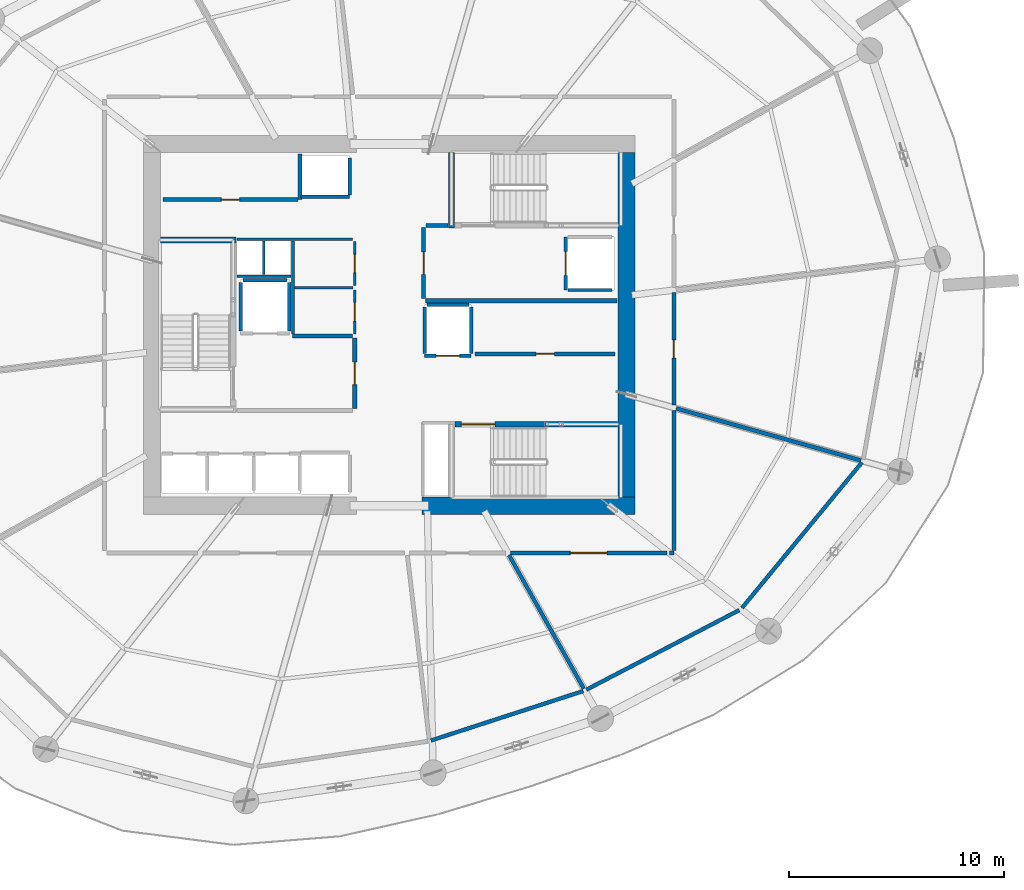
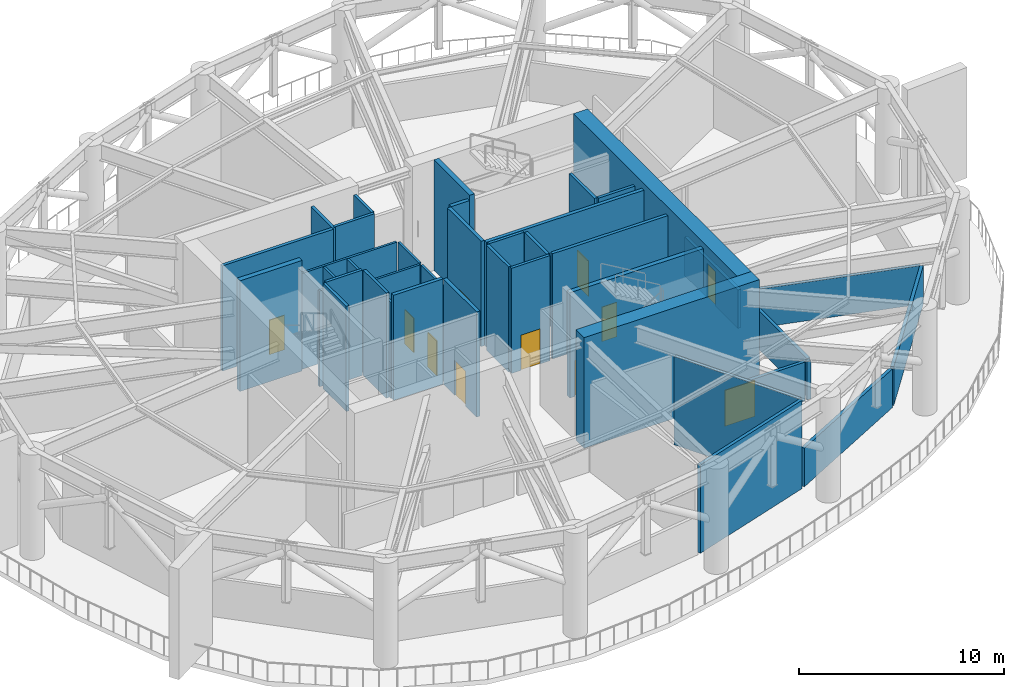
# One storey, part 12 of 19: 40 walls, 11 doors, 11 openings.
"""IFC4 building model written with IfcOpenShell, lengths in metres."""

from ifc_helpers import new_model, si_unit, direction, frame, frame_2d, origin, place, context, subcontext, project, spatial, rectangle, extrude, material, layer, layer_set, type_object, element, fill, save


model = new_model("IFC4")

# Units and contexts
model_context = context("Model", 3, precision=1e-05, world=origin(), true_north=direction((0.0, 1.0)))
body_context = subcontext(model_context, "Body", "Model", "MODEL_VIEW")
ifc_project = project(units=[si_unit("LENGTHUNIT", "METRE"), si_unit("AREAUNIT", "SQUARE_METRE"), si_unit("VOLUMEUNIT", "CUBIC_METRE"), si_unit("PLANEANGLEUNIT", "RADIAN"), si_unit("MASSUNIT", "GRAM", prefix="KILO")], contexts=[model_context])

# Site, building, storey
site_placement = place(None, origin())
site = spatial("IfcSite", under=ifc_project, at=site_placement, CompositionType="ELEMENT")
building_placement = place(site_placement, origin())
building = spatial("IfcBuilding", under=site, at=building_placement, Name="Kazma Halo Residences", CompositionType="ELEMENT")
storey_placement = place(building_placement, frame((0.0, 0.0, 116.39990234375)))
storey = spatial("IfcBuildingStorey", under=building, at=storey_placement, Name="L29", CompositionType="ELEMENT", Elevation=116.39990234375)

# Walls
ifc_material_1 = material(Name="Concrete C80/95", Category="concrete")
ifc_layer_1 = layer(ifc_material_1, 0.800048828125)
ifc_layer_set_1 = layer_set([ifc_layer_1], Name="Concrete C80/95")
wall_type_1 = type_object("IfcWallType", Name="WL-CORE-800", PredefinedType="SHEAR", material=ifc_layer_set_1)
wall_1_placement = place(storey_placement, frame((49.949951171875, 33.60009765625, 0.0), z_axis=(0.0, 0.0, 1.0), x_axis=(1.0, 0.0, 0.0)))
element("IfcWall", 1, at=wall_1_placement, inside=storey, type_object=wall_type_1, Name="L29 central core shear wall SE", PredefinedType="SHEAR", context=body_context, shape_type="SweptSolid", body=[
    extrude(rectangle(XDim=9.900146484375, YDim=0.800048828125, at=frame_2d((4.9501953125, 0.0))), origin(), (0.0, 0.0, 1.0), 6.60009765625),
])
wall_2_placement = place(storey_placement, frame((59.449951171875, 34.0, 0.0), z_axis=(0.0, 0.0, 1.0), x_axis=(0.0, 1.0, 0.0)))
element("IfcWall", 2, at=wall_2_placement, inside=storey, type_object=wall_type_1, Name="L29 central core shear wall E", PredefinedType="SHEAR", context=body_context, shape_type="SweptSolid", body=[
    extrude(rectangle(XDim=16.0, YDim=0.800048828125, at=frame_2d((8.0, 0.0))), origin(), (0.0, 0.0, 1.0), 6.60009765625),
])
ifc_material_2 = material(Name="Concrete C60/75", Category="concrete")
ifc_layer_2 = layer(ifc_material_2, 0.280029296875)
ifc_layer_set_2 = layer_set([ifc_layer_2], Name="Concrete C60/75")
wall_type_2 = type_object("IfcWallType", Name="WL-CORE-ST-280", PredefinedType="SHEAR", material=ifc_layer_set_2)
for number, where, z_axis, x_axis, name in (
    (3, (37.800048828125, 45.93994140625, 0.0), (0.0, 0.0, 1.0), (1.0, 0.0, 0.0), "L29 stairwell bearing wall ST01-N"),
    (4, (51.31005859375, 46.5, 0.0), (0.0, 0.0, 1.0), (0.0, 1.0, 0.0), "L29 stairwell bearing wall ST02-W"),
):
    element("IfcWall", number, at=place(storey_placement, frame(where, z_axis=z_axis, x_axis=x_axis)), inside=storey, type_object=wall_type_2, Name=name, PredefinedType="SHEAR", context=body_context, shape_type="SweptSolid", body=[
        extrude(rectangle(XDim=3.5, YDim=0.280029296875, at=frame_2d((1.75, 0.0))), origin(), (0.0, 0.0, 1.0), 6.60009765625),
    ])
ifc_material_3 = material(Name="Acoustic Twin-Stud Gypsum")
ifc_layer_3 = layer(ifc_material_3, 0.179931640625)
ifc_layer_set_3 = layer_set([ifc_layer_3], Name="Acoustic Twin-Stud Gypsum")
wall_type_3 = type_object("IfcWallType", Name="WL-DEM-180", PredefinedType="PARTITIONING", material=ifc_layer_set_3)
wall_3_placement = place(storey_placement, frame((50.364990234375, 22.68701171875, 0.0), z_axis=(0.0, 0.0, 1.0), x_axis=(0.951058670218, 0.309010365204, 0.0)))
element("IfcWall", 5, at=wall_3_placement, inside=storey, type_object=wall_type_3, Name="L29 refuge acoustic perimeter wall 11", PredefinedType="PARTITIONING", context=body_context, shape_type="SweptSolid", body=[
    extrude(rectangle(XDim=7.437744140625, YDim=0.179931640625, at=frame_2d((3.71875, 0.0))), origin(), (0.0, 0.0, 1.0), 5.273193359375),
])
wall_4_placement = place(storey_placement, frame((57.585693359375, 25.047119140625, 0.0), z_axis=(0.0, 0.0, 1.0), x_axis=(0.886950751462, 0.46186401081, 0.0)))
element("IfcWall", 6, at=wall_4_placement, inside=storey, type_object=wall_type_3, Name="L29 refuge acoustic perimeter wall 12", PredefinedType="PARTITIONING", context=body_context, shape_type="SweptSolid", body=[
    extrude(rectangle(XDim=8.012451171875, YDim=0.179931640625, at=frame_2d((4.00634765625, 0.0))), origin(), (0.0, 0.0, 1.0), 2.30419921875),
])
wall_5_placement = place(storey_placement, frame((64.814453125, 28.846435546875, 0.0), z_axis=(0.0, 0.0, 1.0), x_axis=(0.636015746841, 0.771676078267, 0.0)))
element("IfcWall", 7, at=wall_5_placement, inside=storey, type_object=wall_type_3, Name="L29 refuge acoustic perimeter wall 13", PredefinedType="PARTITIONING", context=body_context, shape_type="SweptSolid", body=[
    extrude(rectangle(XDim=8.76416015625, YDim=0.179931640625, at=frame_2d((4.382080078125, 0.0))), origin(), (0.0, 0.0, 1.0), 2.30419921875),
])
wall_6_placement = place(storey_placement, frame((53.989990234375, 31.303955078125, 0.0), z_axis=(0.0, 0.0, 1.0), x_axis=(0.488621135235, -0.872496066583, 0.0)))
element("IfcWall", 8, at=wall_6_placement, inside=storey, type_object=wall_type_3, Name="L29 radial partition wall 12", PredefinedType="PARTITIONING", context=body_context, shape_type="SweptSolid", body=[
    extrude(rectangle(XDim=7.113525390625, YDim=0.179931640625, at=frame_2d((3.556640625, 0.0))), origin(), (0.0, 0.0, 1.0), 5.273193359375),
])

# Wall, opening, door
wall_7_placement = place(storey_placement, frame((54.056396484375, 31.39990234375, 0.0), z_axis=(0.0, 0.0, 1.0), x_axis=(1.0, 0.0, 0.0)))
wall_7 = element("IfcWall", 9, at=wall_7_placement, inside=storey, type_object=wall_type_3, Name="L29 L29 South Refuge Area corridor wall", PredefinedType="PARTITIONING", context=body_context, shape_type="SweptSolid", body=[
    extrude(rectangle(XDim=7.26953125, YDim=0.179931640625, at=frame_2d((3.634765625, 0.0))), origin(), (0.0, 0.0, 1.0), 2.30419921875),
])
opening_1_placement = place(wall_7_placement, frame((2.784912109375, 0.0, 0.0)))
opening_1 = element("IfcOpeningElement", 10, at=opening_1_placement, cuts=wall_7, Name="Opening DL-1800", PredefinedType="OPENING", context=body_context, shape_type="SweptSolid", body=[
    extrude(rectangle(XDim=1.699951171875, YDim=2.14990234375, at=frame_2d((0.85009765625, 1.074951171875))), frame((0.0, 0.099853515625, 0.0), z_axis=(0.0, -1.0, 0.0), x_axis=(1.0, 0.0, 0.0)), (0.0, 0.0, 1.0), 0.199951171875),
])
ifc_material_4 = material(Name="Glazed Aluminium Double Leaf", Category="aluminium")
door_type_1 = type_object("IfcDoorType", Name="DR-LGE-1800", OperationType="NOTDEFINED", PredefinedType="DOOR", material=ifc_material_4)
door_1_placement = place(opening_1_placement, origin())
door_1 = element("IfcDoor", 11, at=door_1_placement, inside=storey, type_object=door_type_1, Name="L29 L29 South Refuge Area door", OperationType="DOUBLE_DOOR_SINGLE_SWING", OverallHeight=2.14990234375, OverallWidth=1.699951171875, PredefinedType="DOOR", context=body_context, shape_type="SweptSolid", body=[
    extrude(rectangle(XDim=1.699951171875, YDim=2.14990234375, at=frame_2d((0.85009765625, 1.074951171875))), frame((0.0, 0.02490234375, 0.0), z_axis=(0.0, -1.0, 0.0), x_axis=(1.0, 0.0, 0.0)), (0.0, 0.0, 1.0), 0.050048828125),
])
fill(opening_1, door_1)

# Walls
wall_8_placement = place(storey_placement, frame((61.446044921875, 31.39990234375, 0.0), z_axis=(0.0, 0.0, 1.0), x_axis=(1.0, 0.0, 0.0)))
element("IfcWall", 12, at=wall_8_placement, inside=storey, type_object=wall_type_3, Name="L29 L29 South Refuge Area corridor wall", PredefinedType="PARTITIONING", context=body_context, shape_type="SweptSolid", body=[
    extrude(rectangle(XDim=0.203857421875, YDim=0.179931640625, at=frame_2d((0.10205078125, 0.0))), origin(), (0.0, 0.0, 1.0), 2.30419921875),
])
wall_9_placement = place(storey_placement, frame((61.64990234375, 31.52001953125, 0.0), z_axis=(0.0, 0.0, 1.0), x_axis=(0.0, 1.0, 0.0)))
element("IfcWall", 13, at=wall_9_placement, inside=storey, type_object=wall_type_3, Name="L29 L29 South Refuge Area corridor wall", PredefinedType="PARTITIONING", context=body_context, shape_type="SweptSolid", body=[
    extrude(rectangle(XDim=6.51025390625, YDim=0.179931640625, at=frame_2d((3.255126953125, 0.0))), origin(), (0.0, 0.0, 1.0), 2.30419921875),
])
wall_10_placement = place(storey_placement, frame((61.755859375, 38.120361328125, 0.0), z_axis=(0.0, 0.0, 1.0), x_axis=(0.962455908165, -0.271438068147, 0.0)))
element("IfcWall", 14, at=wall_10_placement, inside=storey, type_object=wall_type_3, Name="L29 radial partition wall 14", PredefinedType="PARTITIONING", context=body_context, shape_type="SweptSolid", body=[
    extrude(rectangle(XDim=8.92236328125, YDim=0.179931640625, at=frame_2d((4.461181640625, 0.0))), origin(), (0.0, 0.0, 1.0), 2.30419921875),
])

# Wall, opening, door
wall_11_placement = place(storey_placement, frame((61.64990234375, 38.270263671875, 0.0), z_axis=(0.0, 0.0, 1.0), x_axis=(0.0, 1.0, 0.0)))
wall_11 = element("IfcWall", 15, at=wall_11_placement, inside=storey, type_object=wall_type_3, Name="L29 L29 HV Switchgear Plant Room corridor wall", PredefinedType="PARTITIONING", context=body_context, shape_type="SweptSolid", body=[
    extrude(rectangle(XDim=5.225341796875, YDim=0.179931640625, at=frame_2d((2.61279296875, 0.0))), origin(), (0.0, 0.0, 1.0), 2.30419921875),
])
opening_2_placement = place(wall_11_placement, frame((2.187744140625, 0.0, 0.0)))
opening_2 = element("IfcOpeningElement", 16, at=opening_2_placement, cuts=wall_11, Name="Opening DS-850", PredefinedType="OPENING", context=body_context, shape_type="SweptSolid", body=[
    extrude(rectangle(XDim=0.85009765625, YDim=2.06005859375, at=frame_2d((0.425048828125, 1.030029296875))), frame((0.0, 0.099853515625, 0.0), z_axis=(0.0, -1.0, 0.0), x_axis=(1.0, 0.0, 0.0)), (0.0, 0.0, 1.0), 0.199951171875),
])
ifc_material_5 = material(Name="Painted Steel Access Leaf", Category="steel")
door_type_2 = type_object("IfcDoorType", Name="DR-SVC-850", OperationType="NOTDEFINED", PredefinedType="DOOR", material=ifc_material_5)
door_2_placement = place(opening_2_placement, origin())
door_2 = element("IfcDoor", 17, at=door_2_placement, inside=storey, type_object=door_type_2, Name="L29 L29 HV Switchgear Plant Room door", OperationType="SINGLE_SWING_LEFT", OverallHeight=2.06005859375, OverallWidth=0.85009765625, PredefinedType="DOOR", context=body_context, shape_type="SweptSolid", body=[
    extrude(rectangle(XDim=0.85009765625, YDim=2.06005859375, at=frame_2d((0.425048828125, 1.030029296875))), frame((0.0, 0.02490234375, 0.0), z_axis=(0.0, -1.0, 0.0), x_axis=(1.0, 0.0, 0.0)), (0.0, 0.0, 1.0), 0.050048828125),
])
fill(opening_2, door_2)

# Walls
ifc_material_6 = material(Name="Fire-Rated Blockwork Masonry", Category="masonry")
ifc_layer_4 = layer(ifc_material_6, 0.199951171875)
ifc_layer_set_4 = layer_set([ifc_layer_4], Name="Fire-Rated Blockwork Masonry")
wall_type_4 = type_object("IfcWallType", Name="WL-FLB-200", PredefinedType="PARTITIONING", material=ifc_layer_set_4)
wall_12_placement = place(storey_placement, frame((46.580078125, 47.945068359375, 0.0), z_axis=(0.0, 0.0, 1.0), x_axis=(-1.0, 0.0, 0.0)))
element("IfcWall", 18, at=wall_12_placement, inside=storey, type_object=wall_type_4, Name="L29 lift shaft PX-01 front wall", PredefinedType="PARTITIONING", context=body_context, shape_type="SweptSolid", body=[
    extrude(rectangle(XDim=2.260009765625, YDim=0.159912109375, at=frame_2d((1.1298828125, 0.0))), origin(), (0.0, 0.0, 1.0), 6.280029296875),
])
wall_13_placement = place(storey_placement, frame((46.580078125, 48.044921875, 0.0), z_axis=(0.0, 0.0, 1.0), x_axis=(0.0, 1.0, 0.0)))
element("IfcWall", 19, at=wall_13_placement, inside=storey, type_object=wall_type_4, Name="L29 lift shaft PX-01 side wall E", PredefinedType="PARTITIONING", context=body_context, shape_type="SweptSolid", body=[
    extrude(rectangle(XDim=1.7099609375, YDim=0.159912109375, at=frame_2d((0.85498046875, 0.0))), origin(), (0.0, 0.0, 1.0), 6.280029296875),
])
for number, where, z_axis, x_axis, name in (
    (20, (43.780029296875, 41.719970703125, 0.0), (0.0, 0.0, 1.0), (0.0, 1.0, 0.0), "L29 lift shaft FL-01 side wall E"),
    (21, (41.52001953125, 41.719970703125, 0.0), (0.0, 0.0, 1.0), (0.0, 1.0, 0.0), "L29 lift shaft FL-01 side wall W"),
):
    element("IfcWall", number, at=place(storey_placement, frame(where, z_axis=z_axis, x_axis=x_axis)), inside=storey, type_object=wall_type_4, Name=name, PredefinedType="PARTITIONING", context=body_context, shape_type="SweptSolid", body=[
        extrude(rectangle(XDim=2.260009765625, YDim=0.159912109375, at=frame_2d((1.1298828125, 0.0))), origin(), (0.0, 0.0, 1.0), 6.280029296875),
    ])
wall_14_placement = place(storey_placement, frame((41.6201171875, 44.080078125, 0.0), z_axis=(0.0, 0.0, 1.0), x_axis=(1.0, 0.0, 0.0)))
element("IfcWall", 22, at=wall_14_placement, inside=storey, type_object=wall_type_4, Name="L29 lift shaft FL-01 side wall N", PredefinedType="PARTITIONING", context=body_context, shape_type="SweptSolid", body=[
    extrude(rectangle(XDim=2.059814453125, YDim=0.159912109375, at=frame_2d((1.02978515625, 0.0))), origin(), (0.0, 0.0, 1.0), 6.280029296875),
])

# Wall, opening, door
wall_15_placement = place(storey_placement, frame((56.6201171875, 46.080078125, 0.0), z_axis=(0.0, 0.0, 1.0), x_axis=(0.0, -1.0, 0.0)))
wall_15 = element("IfcWall", 23, at=wall_15_placement, inside=storey, type_object=wall_type_4, Name="L29 lift shaft FL-02 front wall", PredefinedType="PARTITIONING", context=body_context, shape_type="SweptSolid", body=[
    extrude(rectangle(XDim=2.4599609375, YDim=0.159912109375, at=frame_2d((1.22998046875, 0.0))), origin(), (0.0, 0.0, 1.0), 6.280029296875),
])
opening_3_placement = place(wall_15_placement, frame((0.679931640625, 0.0, 0.0)))
opening_3 = element("IfcOpeningElement", 24, at=opening_3_placement, cuts=wall_15, Name="Opening LD-FL-02", PredefinedType="OPENING", context=body_context, shape_type="SweptSolid", body=[
    extrude(rectangle(XDim=1.10009765625, YDim=2.10009765625, at=frame_2d((0.550048828125, 1.050048828125))), frame((0.0, 0.08984375, 0.0), z_axis=(0.0, -1.0, 0.0), x_axis=(1.0, 0.0, 0.0)), (0.0, 0.0, 1.0), 0.179931640625),
])
ifc_material_7 = material(Name="Stainless Steel Fire-Rated", Category="steel")
door_type_3 = type_object("IfcDoorType", Name="DR-LIFT-SLD-1100", OperationType="DOUBLE_DOOR_SLIDING", PredefinedType="DOOR", material=ifc_material_7)
door_3_placement = place(opening_3_placement, origin())
door_3 = element("IfcDoor", 25, at=door_3_placement, inside=storey, type_object=door_type_3, Name="L29 lift FL-02 sliding landing door", OperationType="DOUBLE_DOOR_SLIDING", OverallHeight=2.10009765625, OverallWidth=1.10009765625, PredefinedType="DOOR", context=body_context, shape_type="SweptSolid", body=[
    extrude(rectangle(XDim=1.10009765625, YDim=2.10009765625, at=frame_2d((0.550048828125, 1.050048828125))), frame((0.0, 0.02490234375, 0.0), z_axis=(0.0, -1.0, 0.0), x_axis=(1.0, 0.0, 0.0)), (0.0, 0.0, 1.0), 0.050048828125),
])
fill(opening_3, door_3)

# Wall
wall_16_placement = place(storey_placement, frame((56.719970703125, 43.6201171875, 0.0), z_axis=(0.0, 0.0, 1.0), x_axis=(1.0, 0.0, 0.0)))
element("IfcWall", 26, at=wall_16_placement, inside=storey, type_object=wall_type_4, Name="L29 lift shaft FL-02 side wall S", PredefinedType="PARTITIONING", context=body_context, shape_type="SweptSolid", body=[
    extrude(rectangle(XDim=2.06005859375, YDim=0.159912109375, at=frame_2d((1.030029296875, 0.0))), origin(), (0.0, 0.0, 1.0), 6.280029296875),
])

# Wall, opening, door
wall_17_placement = place(storey_placement, frame((52.22998046875, 40.570068359375, 0.0), z_axis=(0.0, 0.0, 1.0), x_axis=(-1.0, 0.0, 0.0)))
wall_17 = element("IfcWall", 27, at=wall_17_placement, inside=storey, type_object=wall_type_4, Name="L29 lift shaft SV-01 front wall", PredefinedType="PARTITIONING", context=body_context, shape_type="SweptSolid", body=[
    extrude(rectangle(XDim=2.159912109375, YDim=0.159912109375, at=frame_2d((1.080078125, 0.0))), origin(), (0.0, 0.0, 1.0), 6.280029296875),
])
opening_4_placement = place(wall_17_placement, frame((0.530029296875, 0.0, 0.0)))
opening_4 = element("IfcOpeningElement", 28, at=opening_4_placement, cuts=wall_17, Name="Opening LD-SV-01", PredefinedType="OPENING", context=body_context, shape_type="SweptSolid", body=[
    extrude(rectangle(XDim=1.10009765625, YDim=2.10009765625, at=frame_2d((0.550048828125, 1.050048828125))), frame((0.0, 0.08984375, 0.0), z_axis=(0.0, -1.0, 0.0), x_axis=(1.0, 0.0, 0.0)), (0.0, 0.0, 1.0), 0.179931640625),
])
door_4_placement = place(opening_4_placement, origin())
door_4 = element("IfcDoor", 29, at=door_4_placement, inside=storey, type_object=door_type_3, Name="L29 lift SV-01 sliding landing door", OperationType="DOUBLE_DOOR_SLIDING", OverallHeight=2.10009765625, OverallWidth=1.10009765625, PredefinedType="DOOR", context=body_context, shape_type="SweptSolid", body=[
    extrude(rectangle(XDim=1.10009765625, YDim=2.10009765625, at=frame_2d((0.550048828125, 1.050048828125))), frame((0.0, 0.02490234375, 0.0), z_axis=(0.0, -1.0, 0.0), x_axis=(1.0, 0.0, 0.0)), (0.0, 0.0, 1.0), 0.050048828125),
])
fill(opening_4, door_4)

# Walls
for number, where, z_axis, x_axis, name in (
    (30, (52.22998046875, 40.669921875, 0.0), (0.0, 0.0, 1.0), (0.0, 1.0, 0.0), "L29 lift shaft SV-01 side wall E"),
    (31, (50.070068359375, 40.669921875, 0.0), (0.0, 0.0, 1.0), (0.0, 1.0, 0.0), "L29 lift shaft SV-01 side wall W"),
):
    element("IfcWall", number, at=place(storey_placement, frame(where, z_axis=z_axis, x_axis=x_axis)), inside=storey, type_object=wall_type_4, Name=name, PredefinedType="PARTITIONING", context=body_context, shape_type="SweptSolid", body=[
        extrude(rectangle(XDim=2.16015625, YDim=0.159912109375, at=frame_2d((1.080078125, 0.0))), origin(), (0.0, 0.0, 1.0), 6.280029296875),
    ])
wall_18_placement = place(storey_placement, frame((50.169921875, 42.929931640625, 0.0), z_axis=(0.0, 0.0, 1.0), x_axis=(1.0, 0.0, 0.0)))
element("IfcWall", 32, at=wall_18_placement, inside=storey, type_object=wall_type_4, Name="L29 lift shaft SV-01 side wall N", PredefinedType="PARTITIONING", context=body_context, shape_type="SweptSolid", body=[
    extrude(rectangle(XDim=1.9599609375, YDim=0.159912109375, at=frame_2d((0.97998046875, 0.0))), origin(), (0.0, 0.0, 1.0), 6.280029296875),
])

# Wall, opening, door
wall_19_placement = place(storey_placement, frame((37.919921875, 47.820068359375, 0.0), z_axis=(0.0, 0.0, 1.0), x_axis=(1.0, 0.0, 0.0)))
wall_19 = element("IfcWall", 33, at=wall_19_placement, inside=storey, type_object=wall_type_4, Name="L29 core north reserve wall", PredefinedType="PARTITIONING", context=body_context, shape_type="SweptSolid", body=[
    extrude(rectangle(XDim=6.260009765625, YDim=0.179931640625, at=frame_2d((3.1298828125, 0.0))), origin(), (0.0, 0.0, 1.0), 6.280029296875),
])
opening_5_placement = place(wall_19_placement, frame((2.705078125, 0.0, 0.0)))
opening_5 = element("IfcOpeningElement", 34, at=opening_5_placement, cuts=wall_19, Name="Opening DS-850", PredefinedType="OPENING", context=body_context, shape_type="SweptSolid", body=[
    extrude(rectangle(XDim=0.85009765625, YDim=2.06005859375, at=frame_2d((0.425048828125, 1.030029296875))), frame((0.0, 0.099853515625, 0.0), z_axis=(0.0, -1.0, 0.0), x_axis=(1.0, 0.0, 0.0)), (0.0, 0.0, 1.0), 0.199951171875),
])
door_5_placement = place(opening_5_placement, origin())
door_5 = element("IfcDoor", 35, at=door_5_placement, inside=storey, type_object=door_type_2, Name="L29 core north reserve door", OperationType="SINGLE_SWING_LEFT", OverallHeight=2.06005859375, OverallWidth=0.85009765625, PredefinedType="DOOR", context=body_context, shape_type="SweptSolid", body=[
    extrude(rectangle(XDim=0.85009765625, YDim=2.06005859375, at=frame_2d((0.425048828125, 1.030029296875))), frame((0.0, 0.02490234375, 0.0), z_axis=(0.0, -1.0, 0.0), x_axis=(1.0, 0.0, 0.0)), (0.0, 0.0, 1.0), 0.050048828125),
])
fill(opening_5, door_5)

# Wall
wall_20_placement = place(storey_placement, frame((44.280029296875, 47.820068359375, 0.0), z_axis=(0.0, 0.0, 1.0), x_axis=(0.0, 1.0, 0.0)))
element("IfcWall", 36, at=wall_20_placement, inside=storey, type_object=wall_type_4, Name="L29 PX-01 hoistway west wall", PredefinedType="PARTITIONING", context=body_context, shape_type="SweptSolid", body=[
    extrude(rectangle(XDim=2.1298828125, YDim=0.179931640625, at=frame_2d((1.06494140625, 0.0))), origin(), (0.0, 0.0, 1.0), 6.280029296875),
])

# Wall, opening, door
wall_21_placement = place(storey_placement, frame((52.419921875, 40.64990234375, 0.0), z_axis=(0.0, 0.0, 1.0), x_axis=(1.0, 0.0, 0.0)))
wall_21 = element("IfcWall", 37, at=wall_21_placement, inside=storey, type_object=wall_type_4, Name="L29 core east reserve wall", PredefinedType="PARTITIONING", context=body_context, shape_type="SweptSolid", body=[
    extrude(rectangle(XDim=6.5, YDim=0.179931640625, at=frame_2d((3.25, 0.0))), origin(), (0.0, 0.0, 1.0), 6.280029296875),
])
opening_6_placement = place(wall_21_placement, frame((2.824951171875, 0.0, 0.0)))
opening_6 = element("IfcOpeningElement", 38, at=opening_6_placement, cuts=wall_21, Name="Opening DS-850", PredefinedType="OPENING", context=body_context, shape_type="SweptSolid", body=[
    extrude(rectangle(XDim=0.85009765625, YDim=2.06005859375, at=frame_2d((0.425048828125, 1.030029296875))), frame((0.0, 0.099853515625, 0.0), z_axis=(0.0, -1.0, 0.0), x_axis=(1.0, 0.0, 0.0)), (0.0, 0.0, 1.0), 0.199951171875),
])
door_6_placement = place(opening_6_placement, origin())
door_6 = element("IfcDoor", 39, at=door_6_placement, inside=storey, type_object=door_type_2, Name="L29 core east reserve door", OperationType="SINGLE_SWING_RIGHT", OverallHeight=2.06005859375, OverallWidth=0.85009765625, PredefinedType="DOOR", context=body_context, shape_type="SweptSolid", body=[
    extrude(rectangle(XDim=0.85009765625, YDim=2.06005859375, at=frame_2d((0.425048828125, 1.030029296875))), frame((0.0, 0.02490234375, 0.0), z_axis=(0.0, -1.0, 0.0), x_axis=(1.0, 0.0, 0.0)), (0.0, 0.0, 1.0), 0.050048828125),
])
fill(opening_6, door_6)

# Wall
wall_22_placement = place(storey_placement, frame((43.919921875, 41.47998046875, 0.0), z_axis=(0.0, 0.0, 1.0), x_axis=(1.0, 0.0, 0.0)))
element("IfcWall", 40, at=wall_22_placement, inside=storey, type_object=wall_type_4, Name="L29 west firefighting lobby north smoke wall", PredefinedType="PARTITIONING", context=body_context, shape_type="SweptSolid", body=[
    extrude(rectangle(XDim=2.800048828125, YDim=0.199951171875, at=frame_2d((1.39990234375, 0.0))), origin(), (0.0, 0.0, 1.0), 6.280029296875),
])

# Wall, opening, door
wall_23_placement = place(storey_placement, frame((46.820068359375, 38.1201171875, 0.0), z_axis=(0.0, 0.0, 1.0), x_axis=(0.0, 1.0, 0.0)))
wall_23 = element("IfcWall", 41, at=wall_23_placement, inside=storey, type_object=wall_type_4, Name="L29 west firefighting lobby smoke wall", PredefinedType="PARTITIONING", context=body_context, shape_type="SweptSolid", body=[
    extrude(rectangle(XDim=3.259765625, YDim=0.199951171875, at=frame_2d((1.6298828125, 0.0))), origin(), (0.0, 0.0, 1.0), 6.280029296875),
])
opening_7_placement = place(wall_23_placement, frame((1.10498046875, 0.0, 0.0)))
opening_7 = element("IfcOpeningElement", 42, at=opening_7_placement, cuts=wall_23, Name="Opening D-FLW", PredefinedType="OPENING", context=body_context, shape_type="SweptSolid", body=[
    extrude(rectangle(XDim=1.050048828125, YDim=2.10009765625, at=frame_2d((0.52490234375, 1.050048828125))), frame((0.0, 0.10986328125, 0.0), z_axis=(0.0, -1.0, 0.0), x_axis=(1.0, 0.0, 0.0)), (0.0, 0.0, 1.0), 0.219970703125),
])
ifc_material_8 = material(Name="Fire-Rated Steel Leaf", Category="steel")
door_type_4 = type_object("IfcDoorType", Name="DR-FD90-1050", OperationType="NOTDEFINED", PredefinedType="DOOR", material=ifc_material_8)
door_7_placement = place(opening_7_placement, origin())
door_7 = element("IfcDoor", 43, at=door_7_placement, inside=storey, type_object=door_type_4, Name="L29 west firefighting lobby smoke door", OperationType="SINGLE_SWING_RIGHT", OverallHeight=2.10009765625, OverallWidth=1.050048828125, PredefinedType="DOOR", context=body_context, shape_type="SweptSolid", body=[
    extrude(rectangle(XDim=1.050048828125, YDim=2.10009765625, at=frame_2d((0.52490234375, 1.050048828125))), frame((0.0, 0.02490234375, 0.0), z_axis=(0.0, -1.0, 0.0), x_axis=(1.0, 0.0, 0.0)), (0.0, 0.0, 1.0), 0.050048828125),
])
fill(opening_7, door_7)

# Walls
wall_24_placement = place(storey_placement, frame((50.1201171875, 43.1201171875, 0.0), z_axis=(0.0, 0.0, 1.0), x_axis=(1.0, 0.0, 0.0)))
element("IfcWall", 44, at=wall_24_placement, inside=storey, type_object=wall_type_4, Name="L29 east firefighting lobby south smoke wall", PredefinedType="PARTITIONING", context=body_context, shape_type="SweptSolid", body=[
    extrude(rectangle(XDim=8.8798828125, YDim=0.199951171875, at=frame_2d((4.43994140625, 0.0))), origin(), (0.0, 0.0, 1.0), 6.280029296875),
])
wall_25_placement = place(storey_placement, frame((50.139892578125, 46.6201171875, 0.0), z_axis=(0.0, 0.0, 1.0), x_axis=(1.0, 0.0, 0.0)))
element("IfcWall", 45, at=wall_25_placement, inside=storey, type_object=wall_type_4, Name="L29 east firefighting lobby north closure wall", PredefinedType="PARTITIONING", context=body_context, shape_type="SweptSolid", body=[
    extrude(rectangle(XDim=1.02001953125, YDim=0.199951171875, at=frame_2d((0.510009765625, 0.0))), origin(), (0.0, 0.0, 1.0), 6.280029296875),
])

# Wall, opening, door
wall_26_placement = place(storey_placement, frame((50.02001953125, 43.219970703125, 0.0), z_axis=(0.0, 0.0, 1.0), x_axis=(0.0, 1.0, 0.0)))
wall_26 = element("IfcWall", 46, at=wall_26_placement, inside=storey, type_object=wall_type_4, Name="L29 east firefighting lobby smoke wall", PredefinedType="PARTITIONING", context=body_context, shape_type="SweptSolid", body=[
    extrude(rectangle(XDim=3.300048828125, YDim=0.199951171875, at=frame_2d((1.64990234375, 0.0))), origin(), (0.0, 0.0, 1.0), 6.280029296875),
])
opening_8_placement = place(wall_26_placement, frame((1.125, 0.0, 0.0)))
opening_8 = element("IfcOpeningElement", 47, at=opening_8_placement, cuts=wall_26, Name="Opening D-FLE", PredefinedType="OPENING", context=body_context, shape_type="SweptSolid", body=[
    extrude(rectangle(XDim=1.050048828125, YDim=2.10009765625, at=frame_2d((0.52490234375, 1.050048828125))), frame((0.0, 0.10986328125, 0.0), z_axis=(0.0, -1.0, 0.0), x_axis=(1.0, 0.0, 0.0)), (0.0, 0.0, 1.0), 0.219970703125),
])
door_8_placement = place(opening_8_placement, origin())
door_8 = element("IfcDoor", 48, at=door_8_placement, inside=storey, type_object=door_type_4, Name="L29 east firefighting lobby smoke door", OperationType="SINGLE_SWING_LEFT", OverallHeight=2.10009765625, OverallWidth=1.050048828125, PredefinedType="DOOR", context=body_context, shape_type="SweptSolid", body=[
    extrude(rectangle(XDim=1.050048828125, YDim=2.10009765625, at=frame_2d((0.52490234375, 1.050048828125))), frame((0.0, 0.02490234375, 0.0), z_axis=(0.0, -1.0, 0.0), x_axis=(1.0, 0.0, 0.0)), (0.0, 0.0, 1.0), 0.050048828125),
])
fill(opening_8, door_8)

# Walls
ifc_material_9 = material(Name="Gypsum Plasterboard Partition")
ifc_layer_5 = layer(ifc_material_9, 0.125)
ifc_layer_set_5 = layer_set([ifc_layer_5], Name="Gypsum Plasterboard Partition")
wall_type_5 = type_object("IfcWallType", Name="WL-PART-125", PredefinedType="PARTITIONING", material=ifc_layer_set_5)
wall_27_placement = place(storey_placement, frame((41.360107421875, 45.97998046875, 0.0), z_axis=(0.0, 0.0, 1.0), x_axis=(1.0, 0.0, 0.0)))
element("IfcWall", 49, at=wall_27_placement, inside=storey, type_object=wall_type_5, Name="L29 core north riser wall", PredefinedType="PARTITIONING", context=body_context, shape_type="SweptSolid", body=[
    extrude(rectangle(XDim=5.35986328125, YDim=0.125, at=frame_2d((2.679931640625, 0.0))), origin(), (0.0, 0.0, 1.0), 5.72021484375),
])
wall_28_placement = place(storey_placement, frame((41.360107421875, 44.260009765625, 0.0), z_axis=(0.0, 0.0, 1.0), x_axis=(1.0, 0.0, 0.0)))
element("IfcWall", 50, at=wall_28_placement, inside=storey, type_object=wall_type_5, Name="L29 core riser south wall", PredefinedType="PARTITIONING", context=body_context, shape_type="SweptSolid", body=[
    extrude(rectangle(XDim=2.5, YDim=0.125, at=frame_2d((1.25, 0.0))), origin(), (0.0, 0.0, 1.0), 5.72021484375),
])
wall_29_placement = place(storey_placement, frame((42.60009765625, 44.35009765625, 0.0), z_axis=(0.0, 0.0, 1.0), x_axis=(0.0, 1.0, 0.0)))
element("IfcWall", 51, at=wall_29_placement, inside=storey, type_object=wall_type_5, Name="L29 core riser divider wall", PredefinedType="PARTITIONING", context=body_context, shape_type="SweptSolid", body=[
    extrude(rectangle(XDim=1.5498046875, YDim=0.125, at=frame_2d((0.77490234375, 0.0))), origin(), (0.0, 0.0, 1.0), 5.72021484375),
])
wall_30_placement = place(storey_placement, frame((43.949951171875, 41.580078125, 0.0), z_axis=(0.0, 0.0, 1.0), x_axis=(0.0, 1.0, 0.0)))
element("IfcWall", 52, at=wall_30_placement, inside=storey, type_object=wall_type_5, Name="L29 core service west wall", PredefinedType="PARTITIONING", context=body_context, shape_type="SweptSolid", body=[
    extrude(rectangle(XDim=4.31982421875, YDim=0.125, at=frame_2d((2.159912109375, 0.0))), origin(), (0.0, 0.0, 1.0), 5.72021484375),
])
wall_31_placement = place(storey_placement, frame((44.030029296875, 43.72998046875, 0.0), z_axis=(0.0, 0.0, 1.0), x_axis=(1.0, 0.0, 0.0)))
element("IfcWall", 53, at=wall_31_placement, inside=storey, type_object=wall_type_5, Name="L29 switch/IDF divider", PredefinedType="PARTITIONING", context=body_context, shape_type="SweptSolid", body=[
    extrude(rectangle(XDim=2.7099609375, YDim=0.125, at=frame_2d((1.35498046875, 0.0))), origin(), (0.0, 0.0, 1.0), 5.72021484375),
])

# Wall, opening, door
wall_32_placement = place(storey_placement, frame((46.820068359375, 41.580078125, 0.0), z_axis=(0.0, 0.0, 1.0), x_axis=(0.0, 1.0, 0.0)))
wall_32 = element("IfcWall", 54, at=wall_32_placement, inside=storey, type_object=wall_type_5, Name="L29 electrical switch room east wall", PredefinedType="PARTITIONING", context=body_context, shape_type="SweptSolid", body=[
    extrude(rectangle(XDim=2.0498046875, YDim=0.125, at=frame_2d((1.02490234375, 0.0))), origin(), (0.0, 0.0, 1.0), 5.72021484375),
])
opening_9_placement = place(wall_32_placement, frame((0.60009765625, 0.0, 0.0)))
opening_9 = element("IfcOpeningElement", 55, at=opening_9_placement, cuts=wall_32, Name="Opening DS-850", PredefinedType="OPENING", context=body_context, shape_type="SweptSolid", body=[
    extrude(rectangle(XDim=0.85009765625, YDim=2.06005859375, at=frame_2d((0.425048828125, 1.030029296875))), frame((0.0, 0.072509765625, 0.0), z_axis=(0.0, -1.0, 0.0), x_axis=(1.0, 0.0, 0.0)), (0.0, 0.0, 1.0), 0.14501953125),
])
door_9_placement = place(opening_9_placement, origin())
door_9 = element("IfcDoor", 56, at=door_9_placement, inside=storey, type_object=door_type_2, Name="L29 electrical switch room door", OperationType="SINGLE_SWING_RIGHT", OverallHeight=2.06005859375, OverallWidth=0.85009765625, PredefinedType="DOOR", context=body_context, shape_type="SweptSolid", body=[
    extrude(rectangle(XDim=0.85009765625, YDim=2.06005859375, at=frame_2d((0.425048828125, 1.030029296875))), frame((0.0, 0.02490234375, 0.0), z_axis=(0.0, -1.0, 0.0), x_axis=(1.0, 0.0, 0.0)), (0.0, 0.0, 1.0), 0.050048828125),
])
fill(opening_9, door_9)

wall_33_placement = place(storey_placement, frame((46.820068359375, 43.830078125, 0.0), z_axis=(0.0, 0.0, 1.0), x_axis=(0.0, 1.0, 0.0)))
wall_33 = element("IfcWall", 57, at=wall_33_placement, inside=storey, type_object=wall_type_5, Name="L29 telecom IDF room east wall", PredefinedType="PARTITIONING", context=body_context, shape_type="SweptSolid", body=[
    extrude(rectangle(XDim=2.0498046875, YDim=0.125, at=frame_2d((1.02490234375, 0.0))), origin(), (0.0, 0.0, 1.0), 5.72021484375),
])
opening_10_placement = place(wall_33_placement, frame((0.60009765625, 0.0, 0.0)))
opening_10 = element("IfcOpeningElement", 58, at=opening_10_placement, cuts=wall_33, Name="Opening DS-850", PredefinedType="OPENING", context=body_context, shape_type="SweptSolid", body=[
    extrude(rectangle(XDim=0.85009765625, YDim=2.06005859375, at=frame_2d((0.425048828125, 1.030029296875))), frame((0.0, 0.072509765625, 0.0), z_axis=(0.0, -1.0, 0.0), x_axis=(1.0, 0.0, 0.0)), (0.0, 0.0, 1.0), 0.14501953125),
])
door_10_placement = place(opening_10_placement, origin())
door_10 = element("IfcDoor", 59, at=door_10_placement, inside=storey, type_object=door_type_2, Name="L29 telecom IDF room door", OperationType="SINGLE_SWING_LEFT", OverallHeight=2.06005859375, OverallWidth=0.85009765625, PredefinedType="DOOR", context=body_context, shape_type="SweptSolid", body=[
    extrude(rectangle(XDim=0.85009765625, YDim=2.06005859375, at=frame_2d((0.425048828125, 1.030029296875))), frame((0.0, 0.02490234375, 0.0), z_axis=(0.0, -1.0, 0.0), x_axis=(1.0, 0.0, 0.0)), (0.0, 0.0, 1.0), 0.050048828125),
])
fill(opening_10, door_10)

ifc_material_10 = material(Name="Concrete C50/60", Category="concrete")
ifc_layer_6 = layer(ifc_material_10, 0.25)
ifc_layer_set_6 = layer_set([ifc_layer_6], Name="Concrete C50/60")
wall_type_6 = type_object("IfcWallType", Name="WL-SHF-250", PredefinedType="SOLIDWALL", material=ifc_layer_set_6)
wall_34_placement = place(storey_placement, frame((51.47998046875, 37.3798828125, 0.0), z_axis=(0.0, 0.0, 1.0), x_axis=(1.0, 0.0, 0.0)))
wall_34 = element("IfcWall", 60, at=wall_34_placement, inside=storey, type_object=wall_type_6, Name="L29 exit stair ST-03 enclosure wall", PredefinedType="SOLIDWALL", context=body_context, shape_type="SweptSolid", body=[
    extrude(rectangle(XDim=7.5400390625, YDim=0.25, at=frame_2d((3.77001953125, 0.0))), origin(), (0.0, 0.0, 1.0), 6.280029296875),
])
opening_11_placement = place(wall_34_placement, frame((0.300048828125, 0.0, 0.0)))
opening_11 = element("IfcOpeningElement", 61, at=opening_11_placement, cuts=wall_34, Name="Opening D-ST3", PredefinedType="OPENING", context=body_context, shape_type="SweptSolid", body=[
    extrude(rectangle(XDim=1.550048828125, YDim=2.14990234375, at=frame_2d((0.77490234375, 1.074951171875))), frame((0.0, 0.135009765625, 0.0), z_axis=(0.0, -1.0, 0.0), x_axis=(1.0, 0.0, 0.0)), (0.0, 0.0, 1.0), 0.27001953125),
])
ifc_material_11 = material(Name="Fire-Rated Double Steel Leaf", Category="steel")
door_type_5 = type_object("IfcDoorType", Name="DR-FD90-1550", OperationType="NOTDEFINED", PredefinedType="DOOR", material=ifc_material_11)
door_11_placement = place(opening_11_placement, origin())
door_11 = element("IfcDoor", 62, at=door_11_placement, inside=storey, type_object=door_type_5, Name="L29 exit stair ST-03 fire door", OperationType="DOUBLE_DOOR_SINGLE_SWING", OverallHeight=2.14990234375, OverallWidth=1.550048828125, PredefinedType="DOOR", context=body_context, shape_type="SweptSolid", body=[
    extrude(rectangle(XDim=1.550048828125, YDim=2.14990234375, at=frame_2d((0.77490234375, 1.074951171875))), frame((0.0, 0.02490234375, 0.0), z_axis=(0.0, -1.0, 0.0), x_axis=(1.0, 0.0, 0.0)), (0.0, 0.0, 1.0), 0.050048828125),
])
fill(opening_11, door_11)

save(model, "model.ifc")
